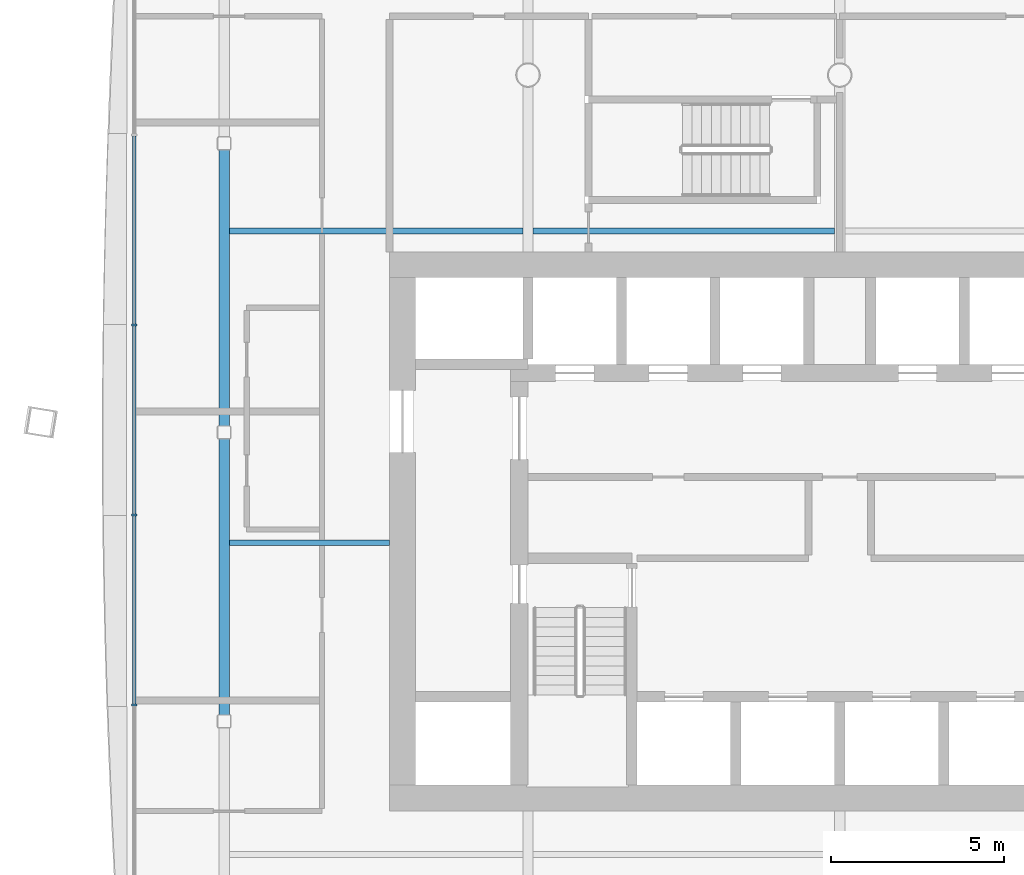
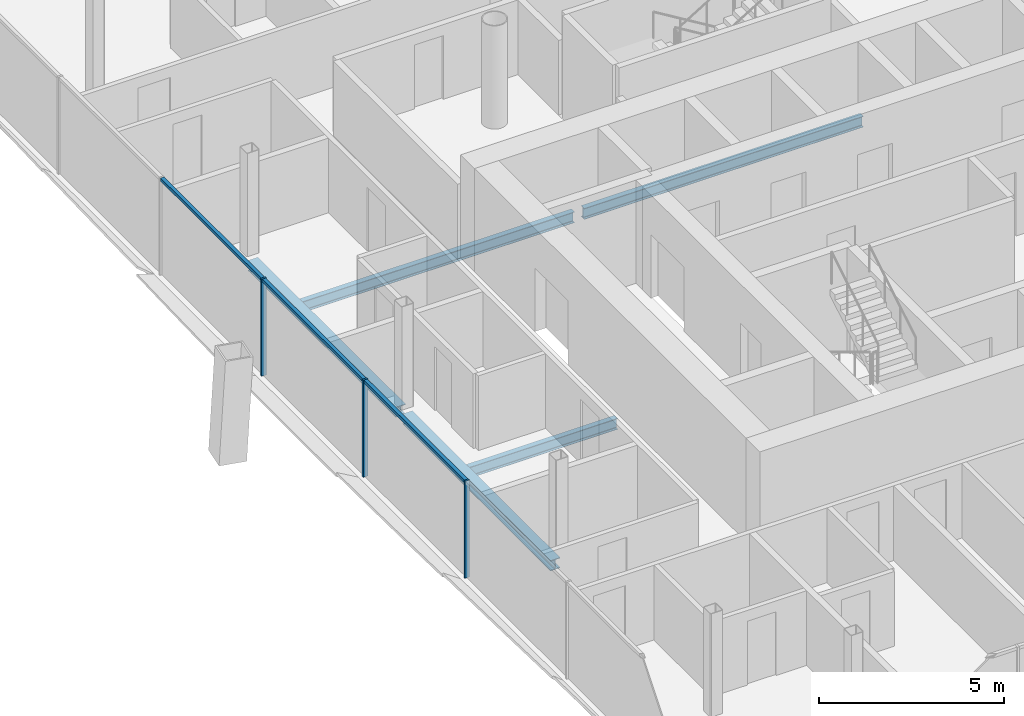
# One storey, part 5 of 21: 6 members, 5 beams, 1 element without a shape of its own.
"""IFC4 building model written with IfcOpenShell, lengths in metres."""

from ifc_helpers import new_model, si_unit, direction, frame, origin, origin_2d, place, context, subcontext, project, spatial, rectangle, i_section, extrude, material, material_profile, profile_set, type_object, element, aggregate, save


model = new_model("IFC4")

# Units and contexts
model_context = context("Model", 3, precision=1e-05, world=origin(), true_north=direction((0.0, 1.0)))
body_context = subcontext(model_context, "Body", "Model", "MODEL_VIEW")
ifc_project = project(units=[si_unit("LENGTHUNIT", "METRE"), si_unit("AREAUNIT", "SQUARE_METRE"), si_unit("VOLUMEUNIT", "CUBIC_METRE"), si_unit("PLANEANGLEUNIT", "RADIAN"), si_unit("MASSUNIT", "GRAM", prefix="KILO")], contexts=[model_context])

# Site, building, storey
site_placement = place(None, origin())
site = spatial("IfcSite", under=ifc_project, at=site_placement, CompositionType="ELEMENT")
building_placement = place(site_placement, origin())
building = spatial("IfcBuilding", under=site, at=building_placement, Name="Tskaro Facet Tower", CompositionType="ELEMENT")
storey_placement = place(building_placement, frame((0.0, 0.0, 128.300048828125)))
storey = spatial("IfcBuildingStorey", under=building, at=storey_placement, Name="L30", CompositionType="ELEMENT", Elevation=128.300048828125)

# Curtain wall, members
ifc_material_1 = material(Name="Bronze anodised aluminium 6063-T6", Category="aluminium")
curtain_wall_type = type_object("IfcCurtainWallType", Name="Bronze hotel curtain wall (FW2)", PredefinedType="NOTDEFINED", material=ifc_material_1)
curtain_wall_placement = place(storey_placement, origin())
curtain_wall = element("IfcCurtainWall", 1, at=curtain_wall_placement, inside=storey, type_object=curtain_wall_type, Name="FW2 west facet L30", PredefinedType="NOTDEFINED")
ifc_material_profile_1 = material_profile(ifc_material_1, rectangle(XDim=0.06005859375, YDim=0.14990234375, at=origin_2d()), Name="Mullion 60x150")
ifc_profile_set_1 = profile_set([ifc_material_profile_1], Name="Bronze anodised aluminium 6063-T6")
member_type_1 = type_object("IfcMemberType", Name="FW2 bronze mullion 60x150", PredefinedType="MULLION", material=ifc_profile_set_1)
member_1_placement = place(storey_placement, frame((-20.366943359375, 1.78759765625, 0.0), z_axis=(0.0, 0.0, 1.0), x_axis=(0.0, -1.0, 0.0)))
member_1 = element("IfcMember", 2, at=member_1_placement, type_object=member_type_1, Name="FW2 west mullion 3", PredefinedType="MULLION", context=body_context, shape_type="SweptSolid", body=[
    extrude(rectangle(XDim=0.06005859375, YDim=0.14990234375, at=origin_2d()), origin(), (0.0, 0.0, 1.0), 3.199951171875),
])
member_2_placement = place(storey_placement, frame((-20.366943359375, -3.70068359375, 0.0), z_axis=(0.0, 0.0, 1.0), x_axis=(0.0, -1.0, 0.0)))
member_2 = element("IfcMember", 3, at=member_2_placement, type_object=member_type_1, Name="FW2 west mullion 4", PredefinedType="MULLION", context=body_context, shape_type="SweptSolid", body=[
    extrude(rectangle(XDim=0.06005859375, YDim=0.14990234375, at=origin_2d()), origin(), (0.0, 0.0, 1.0), 3.199951171875),
])
member_3_placement = place(storey_placement, frame((-20.366943359375, -9.189208984375, 0.0), z_axis=(0.0, 0.0, 1.0), x_axis=(0.0, -1.0, 0.0)))
member_3 = element("IfcMember", 4, at=member_3_placement, type_object=member_type_1, Name="FW2 west mullion 5", PredefinedType="MULLION", context=body_context, shape_type="SweptSolid", body=[
    extrude(rectangle(XDim=0.06005859375, YDim=0.14990234375, at=origin_2d()), origin(), (0.0, 0.0, 1.0), 3.199951171875),
])
ifc_material_profile_2 = material_profile(ifc_material_1, rectangle(XDim=0.110107421875, YDim=0.10009765625, at=origin_2d()), Name="Transom 110x100")
ifc_profile_set_2 = profile_set([ifc_material_profile_2], Name="Bronze anodised aluminium 6063-T6")
member_type_2 = type_object("IfcMemberType", Name="FW2 bronze transom 110x100", PredefinedType="USERDEFINED", material=ifc_profile_set_2)
member_4_placement = place(storey_placement, frame((-20.366943359375, 7.24609375, 3.14990234375), z_axis=(0.0, -1.0, 0.0), x_axis=(1.0, 0.0, 0.0)))
member_4 = element("IfcMember", 5, at=member_4_placement, type_object=member_type_2, Name="FW2 west transom 3.1", ObjectType="TRANSOM", PredefinedType="USERDEFINED", context=body_context, shape_type="SweptSolid", body=[
    extrude(rectangle(XDim=0.110107421875, YDim=0.10009765625, at=origin_2d()), origin(), (0.0, 0.0, 1.0), 5.428466796875),
])
member_5_placement = place(storey_placement, frame((-20.366943359375, 1.7578125, 3.14990234375), z_axis=(0.0, -1.0, 0.0), x_axis=(1.0, 0.0, 0.0)))
member_5 = element("IfcMember", 6, at=member_5_placement, type_object=member_type_2, Name="FW2 west transom 4.1", ObjectType="TRANSOM", PredefinedType="USERDEFINED", context=body_context, shape_type="SweptSolid", body=[
    extrude(rectangle(XDim=0.110107421875, YDim=0.10009765625, at=origin_2d()), origin(), (0.0, 0.0, 1.0), 5.428466796875),
])
member_6_placement = place(storey_placement, frame((-20.366943359375, -3.730712890625, 3.14990234375), z_axis=(0.0, -1.0, 0.0), x_axis=(1.0, 0.0, 0.0)))
member_6 = element("IfcMember", 7, at=member_6_placement, type_object=member_type_2, Name="FW2 west transom 5.1", ObjectType="TRANSOM", PredefinedType="USERDEFINED", context=body_context, shape_type="SweptSolid", body=[
    extrude(rectangle(XDim=0.110107421875, YDim=0.10009765625, at=origin_2d()), origin(), (0.0, 0.0, 1.0), 5.428466796875),
])
aggregate(curtain_wall, [member_1, member_2, member_3, member_4, member_5, member_6])

# Beams
ifc_material_2 = material(Name="Steel S355J2", Category="steel")
ifc_material_profile_3 = material_profile(ifc_material_2, i_section(OverallWidth=0.300048828125, OverallDepth=0.340087890625, WebThickness=0.011962890625, FlangeThickness=0.021484375, FilletRadius=0.027099609375, at=origin_2d()), Name="HE 340 B")
ifc_profile_set_3 = profile_set([ifc_material_profile_3], Name="Steel S355J2")
beam_type_1 = type_object("IfcBeamType", Name="HE 340 B ring beam", PredefinedType="BEAM", material=ifc_profile_set_3)
beam_1_placement = place(storey_placement, frame((-17.77392578125, 6.845947265625, -0.31005859375), z_axis=(0.0, -1.0, 0.0), x_axis=(1.0, 0.0, 0.0)))
element("IfcBeam", 8, at=beam_1_placement, inside=storey, type_object=beam_type_1, Name="HE 340 B EB17-3", PredefinedType="BEAM", context=body_context, shape_type="SweptSolid", body=[
    extrude(i_section(OverallWidth=0.300048828125, OverallDepth=0.340087890625, WebThickness=0.011962890625, FlangeThickness=0.021484375, FilletRadius=0.027099609375, at=origin_2d()), origin(), (0.0, 0.0, 1.0), 7.98095703125),
])
beam_2_placement = place(storey_placement, frame((-17.77392578125, -1.4951171875, -0.31005859375), z_axis=(0.0, -1.0, 0.0), x_axis=(1.0, 0.0, 0.0)))
element("IfcBeam", 9, at=beam_2_placement, inside=storey, type_object=beam_type_1, Name="HE 340 B EB18-3", PredefinedType="BEAM", context=body_context, shape_type="SweptSolid", body=[
    extrude(i_section(OverallWidth=0.300048828125, OverallDepth=0.340087890625, WebThickness=0.011962890625, FlangeThickness=0.021484375, FilletRadius=0.027099609375, at=origin_2d()), origin(), (0.0, 0.0, 1.0), 7.98193359375),
])
ifc_material_profile_4 = material_profile(ifc_material_2, i_section(OverallWidth=0.169921875, OverallDepth=0.360107421875, WebThickness=0.008056640625, FlangeThickness=0.0126953125, FilletRadius=0.01806640625, at=origin_2d()), Name="IPE 360")
ifc_profile_set_4 = profile_set([ifc_material_profile_4], Name="Steel S355J2")
beam_type_2 = type_object("IfcBeamType", Name="IPE 360 secondary beam", PredefinedType="BEAM", material=ifc_profile_set_4)
beam_3_placement = place(storey_placement, frame((-17.6240234375, -4.5, -0.320068359375), z_axis=(1.0, 0.0, 0.0), x_axis=(0.0, 1.0, 0.0)))
element("IfcBeam", 10, at=beam_3_placement, inside=storey, type_object=beam_type_2, Name="IPE 360 SB3a-1-3", PredefinedType="BEAM", context=body_context, shape_type="SweptSolid", body=[
    extrude(i_section(OverallWidth=0.169921875, OverallDepth=0.360107421875, WebThickness=0.008056640625, FlangeThickness=0.0126953125, FilletRadius=0.01806640625, at=origin_2d()), origin(), (0.0, 0.0, 1.0), 4.6240234375),
])
beam_4_placement = place(storey_placement, frame((-17.6240234375, 4.5, -0.320068359375), z_axis=(1.0, 0.0, 0.0), x_axis=(0.0, 1.0, 0.0)))
element("IfcBeam", 11, at=beam_4_placement, inside=storey, type_object=beam_type_2, Name="IPE 360 SB4a-1-3", PredefinedType="BEAM", context=body_context, shape_type="SweptSolid", body=[
    extrude(i_section(OverallWidth=0.169921875, OverallDepth=0.360107421875, WebThickness=0.008056640625, FlangeThickness=0.0126953125, FilletRadius=0.01806640625, at=origin_2d()), origin(), (0.0, 0.0, 1.0), 8.47412109375),
])
beam_5_placement = place(storey_placement, frame((-8.85009765625, 4.5, -0.320068359375), z_axis=(1.0, 0.0, 0.0), x_axis=(0.0, 1.0, 0.0)))
element("IfcBeam", 12, at=beam_5_placement, inside=storey, type_object=beam_type_2, Name="IPE 360 SB4a-2-3", PredefinedType="BEAM", context=body_context, shape_type="SweptSolid", body=[
    extrude(i_section(OverallWidth=0.169921875, OverallDepth=0.360107421875, WebThickness=0.008056640625, FlangeThickness=0.0126953125, FilletRadius=0.01806640625, at=origin_2d()), origin(), (0.0, 0.0, 1.0), 8.7001953125),
])

save(model, "model.ifc")
